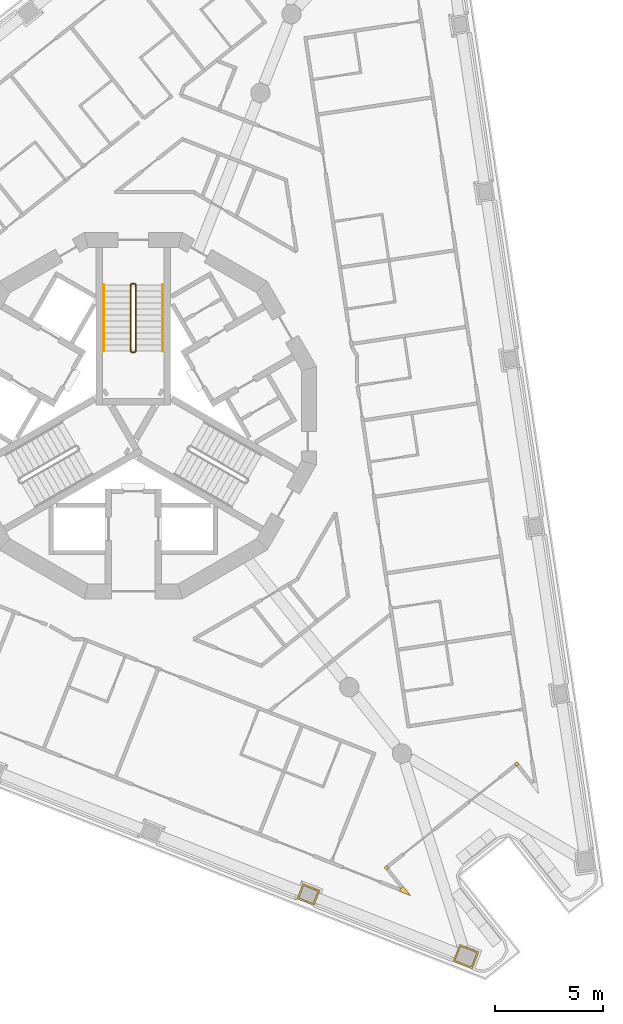
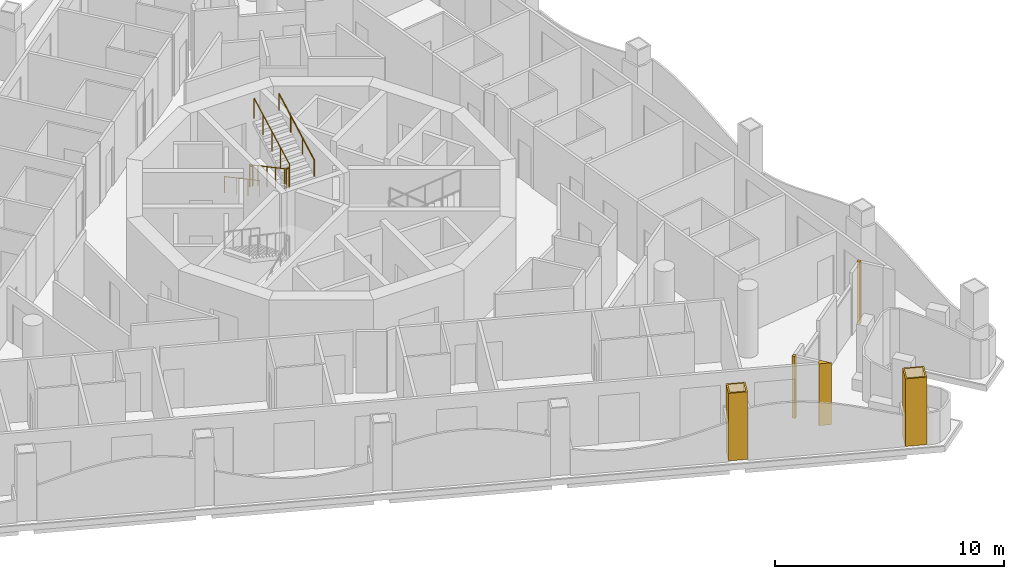
# One storey, part 14 of 17: 6 railings, 5 coverings.
"""IFC4 building model written with IfcOpenShell, lengths in metres."""

from ifc_helpers import new_model, si_unit, direction, frame, origin, origin_2d, place, context, subcontext, project, spatial, polyline, circle, outline, extrude, material, layer, layer_set, type_object, element, save


model = new_model("IFC4")

# Units and contexts
model_context = context("Model", 3, precision=1e-05, world=origin(), true_north=direction((0.0, 1.0)))
body_context = subcontext(model_context, "Body", "Model", "MODEL_VIEW")
ifc_project = project(units=[si_unit("LENGTHUNIT", "METRE"), si_unit("AREAUNIT", "SQUARE_METRE"), si_unit("VOLUMEUNIT", "CUBIC_METRE"), si_unit("PLANEANGLEUNIT", "RADIAN"), si_unit("MASSUNIT", "GRAM", prefix="KILO")], contexts=[model_context])

# Site, building, storey
site_placement = place(None, origin())
site = spatial("IfcSite", under=ifc_project, at=site_placement, CompositionType="ELEMENT")
building_placement = place(site_placement, origin())
building = spatial("IfcBuilding", under=site, at=building_placement, Name="Trine Commons Tower", CompositionType="ELEMENT")
storey_placement = place(building_placement, frame((0.0, 0.0, 212.39990234375)))
storey = spatial("IfcBuildingStorey", under=building, at=storey_placement, Name="L55", CompositionType="ELEMENT", Elevation=212.39990234375)

# Coverings
ifc_material_1 = material(Name="Aluminium-framed insulated wall panel", Category="aluminium")
ifc_layer_1 = layer(ifc_material_1, 0.14990234375)
ifc_layer_set_1 = layer_set([ifc_layer_1], Name="Aluminium-framed insulated wall panel")
covering_type_1 = type_object("IfcCoveringType", Name="Glazing corner post, aluminium", PredefinedType="CLADDING", material=ifc_layer_set_1)
covering_1_placement = place(storey_placement, origin())
element("IfcCovering", 1, at=covering_1_placement, inside=storey, type_object=covering_type_1, Name="Glazing corner post 6-07", PredefinedType="CLADDING", context=body_context, shape_type="SweptSolid", body=[
    extrude(outline(polyline([(97.682861328125, 46.35791015625), (97.7763671875, 46.240478515625), (97.7763671875, 46.240478515625), (97.893798828125, 46.333740234375), (97.80029296875, 46.451171875), (97.80029296875, 46.451171875), (97.682861328125, 46.35791015625)])), origin(), (0.0, 0.0, 1.0), 3.300048828125),
])
covering_2_placement = place(storey_placement, origin())
element("IfcCovering", 2, at=covering_2_placement, inside=storey, type_object=covering_type_1, Name="Glazing corner post 6-08", PredefinedType="CLADDING", context=body_context, shape_type="SweptSolid", body=[
    extrude(outline(polyline([(91.726806640625, 41.42822265625), (91.843994140625, 41.521728515625), (91.750732421875, 41.63916015625), (91.63330078125, 41.545654296875), (91.726806640625, 41.42822265625)])), origin(), (0.0, 0.0, 1.0), 3.300048828125),
])
covering_3_placement = place(storey_placement, origin())
element("IfcCovering", 3, at=covering_3_placement, inside=storey, type_object=covering_type_1, Name="Glazing corner post 6-09", PredefinedType="CLADDING", context=body_context, shape_type="SweptSolid", body=[
    extrude(outline(polyline([(92.34765625, 40.439208984375), (92.868408203125, 40.23388671875), (92.52001953125, 40.672119140625), (92.402587890625, 40.57861328125), (92.34765625, 40.439208984375)])), origin(), (0.0, 0.0, 1.0), 3.300048828125),
])
ifc_material_2 = material(Name="Limestone, honed", Category="masonry")
ifc_layer_2 = layer(ifc_material_2, 0.074951171875)
ifc_layer_set_2 = layer_set([ifc_layer_2], Name="Limestone, honed")
covering_type_2 = type_object("IfcCoveringType", Name="Limestone column cladding 75", PredefinedType="CLADDING", material=ifc_layer_set_2)
covering_4_placement = place(storey_placement, origin())
element("IfcCovering", 4, at=covering_4_placement, inside=storey, type_object=covering_type_2, Name="Limestone pier cladding 6-01", PredefinedType="CLADDING", context=body_context, shape_type="SweptSolid", body=[
    extrude(outline(polyline([(95.143310546875, 37.978271484375), (94.831787109375, 37.1875), (95.715576171875, 36.839111328125), (96.027099609375, 37.6298828125), (95.143310546875, 37.978271484375)]), holes=[polyline([(95.185546875, 37.880859375), (94.928955078125, 37.229736328125), (95.67333984375, 36.9365234375), (95.9296875, 37.587646484375), (95.185546875, 37.880859375)])]), origin(), (0.0, 0.0, 1.0), 3.60009765625),
])
covering_5_placement = place(storey_placement, origin())
element("IfcCovering", 5, at=covering_5_placement, inside=storey, type_object=covering_type_2, Name="Limestone pier cladding 6-02", PredefinedType="CLADDING", context=body_context, shape_type="SweptSolid", body=[
    extrude(outline(polyline([(87.8671875, 40.790771484375), (87.59228515625, 40.093017578125), (88.383056640625, 39.78125), (88.657958984375, 40.47900390625), (87.8671875, 40.790771484375)]), holes=[polyline([(87.909423828125, 40.693359375), (87.689453125, 40.13525390625), (88.3408203125, 39.878662109375), (88.560791015625, 40.436767578125), (87.909423828125, 40.693359375)])]), origin(), (0.0, 0.0, 1.0), 3.60009765625),
])

# Railings
ifc_material_3 = material(Name="Stainless steel balustrade", Category="steel")
railing_type_1 = type_object("IfcRailingType", Name="Stair guard, steel balustrade 1100", PredefinedType="GUARDRAIL", material=ifc_material_3)
railing_1_placement = place(storey_placement, frame((79.875, 68.570556640625, 0.150146484375)))
element("IfcRailing", 6, at=railing_1_placement, inside=storey, type_object=railing_type_1, Name="L55 ST1C stair guard 1", PredefinedType="GUARDRAIL", context=body_context, shape_type="SweptSolid", body=[
    extrude(circle(Radius=0.02392578125, at=origin_2d()), frame((0.0, 0.0, 1.076171875), z_axis=(0.0, -0.881496589024, 0.472190389079), x_axis=(1.0, 0.0, 0.0)), (0.0, 0.0, 1.0), 3.494140625),
    extrude(circle(Radius=0.02099609375, at=origin_2d()), origin(), (0.0, 0.0, 1.0), 1.052001953125),
    extrude(circle(Radius=0.02099609375, at=origin_2d()), frame((0.0, -0.77001953125, 0.41259765625)), (0.0, 0.0, 1.0), 1.052001953125),
    extrude(circle(Radius=0.02099609375, at=origin_2d()), frame((0.0, -1.5400390625, 0.824951171875)), (0.0, 0.0, 1.0), 1.052001953125),
    extrude(circle(Radius=0.02099609375, at=origin_2d()), frame((0.0, -2.31005859375, 1.2373046875)), (0.0, 0.0, 1.0), 1.052001953125),
    extrude(circle(Radius=0.02099609375, at=origin_2d()), frame((0.0, -3.080078125, 1.64990234375)), (0.0, 0.0, 1.0), 1.052001953125),
])
railing_2_placement = place(storey_placement, frame((79.925048828125, 65.440673828125, 1.800048828125)))
element("IfcRailing", 7, at=railing_2_placement, inside=storey, type_object=railing_type_1, Name="L55 ST1C stair guard 2", PredefinedType="GUARDRAIL", context=body_context, shape_type="SweptSolid", body=[
    extrude(circle(Radius=0.02392578125, at=origin_2d()), frame((0.0, 0.0, 1.076171875), z_axis=(1.0, 0.0, 0.0), x_axis=(0.0, 1.0, 0.0)), (0.0, 0.0, 1.0), 0.14990234375),
    extrude(circle(Radius=0.02099609375, at=origin_2d()), origin(), (0.0, 0.0, 1.0), 1.052001953125),
    extrude(circle(Radius=0.02099609375, at=origin_2d()), frame((0.14990234375, 0.0, 0.0)), (0.0, 0.0, 1.0), 1.052001953125),
])
railing_3_placement = place(storey_placement, frame((80.125, 65.490478515625, 1.9501953125)))
element("IfcRailing", 8, at=railing_3_placement, inside=storey, type_object=railing_type_1, Name="L55 ST1C stair guard 3", PredefinedType="GUARDRAIL", context=body_context, shape_type="SweptSolid", body=[
    extrude(circle(Radius=0.02392578125, at=origin_2d()), frame((0.0, 0.0, 1.076171875), z_axis=(0.0, 0.881496589024, 0.472190389079), x_axis=(-1.0, 0.0, 0.0)), (0.0, 0.0, 1.0), 3.494140625),
    extrude(circle(Radius=0.02099609375, at=origin_2d()), origin(), (0.0, 0.0, 1.0), 1.052001953125),
    extrude(circle(Radius=0.02099609375, at=origin_2d()), frame((0.0, 0.77001953125, 0.41259765625)), (0.0, 0.0, 1.0), 1.052001953125),
    extrude(circle(Radius=0.02099609375, at=origin_2d()), frame((0.0, 1.5400390625, 0.824951171875)), (0.0, 0.0, 1.0), 1.052001953125),
    extrude(circle(Radius=0.02099609375, at=origin_2d()), frame((0.0, 2.31005859375, 1.2373046875)), (0.0, 0.0, 1.0), 1.052001953125),
    extrude(circle(Radius=0.02099609375, at=origin_2d()), frame((0.0, 3.080078125, 1.64990234375)), (0.0, 0.0, 1.0), 1.052001953125),
])
railing_4_placement = place(storey_placement, frame((79.925048828125, 68.62060546875, 0.0)))
element("IfcRailing", 9, at=railing_4_placement, inside=storey, type_object=railing_type_1, Name="L55 ST1C stair guard 4", PredefinedType="GUARDRAIL", context=body_context, shape_type="SweptSolid", body=[
    extrude(circle(Radius=0.02392578125, at=origin_2d()), frame((0.0, 0.0, 1.076171875), z_axis=(1.0, 0.0, 0.0), x_axis=(0.0, 1.0, 0.0)), (0.0, 0.0, 1.0), 0.14990234375),
    extrude(circle(Radius=0.02099609375, at=origin_2d()), origin(), (0.0, 0.0, 1.0), 1.052001953125),
    extrude(circle(Radius=0.02099609375, at=origin_2d()), frame((0.14990234375, 0.0, 0.0)), (0.0, 0.0, 1.0), 1.052001953125),
])
ifc_material_4 = material(Name="Stainless steel handrail", Category="steel")
railing_type_2 = type_object("IfcRailingType", Name="Stair handrail, steel 900", PredefinedType="HANDRAIL", material=ifc_material_4)
railing_5_placement = place(storey_placement, frame((78.625, 68.570556640625, 0.150146484375)))
element("IfcRailing", 10, at=railing_5_placement, inside=storey, type_object=railing_type_2, Name="L55 ST1C stair handrail 1", PredefinedType="HANDRAIL", context=body_context, shape_type="SweptSolid", body=[
    extrude(circle(Radius=0.02099609375, at=origin_2d()), frame((0.0, 0.0, 0.87890625), z_axis=(0.0, -0.881496589024, 0.472190389079), x_axis=(1.0, 0.0, 0.0)), (0.0, 0.0, 1.0), 3.494140625),
    extrude(circle(Radius=0.01513671875, at=origin_2d()), origin(), (0.0, 0.0, 1.0), 0.85791015625),
    extrude(circle(Radius=0.01513671875, at=origin_2d()), frame((0.0, -1.026611328125, 0.550048828125)), (0.0, 0.0, 1.0), 0.85791015625),
    extrude(circle(Radius=0.01513671875, at=origin_2d()), frame((0.0, -2.053466796875, 1.099853515625)), (0.0, 0.0, 1.0), 0.85791015625),
    extrude(circle(Radius=0.01513671875, at=origin_2d()), frame((0.0, -3.080078125, 1.64990234375)), (0.0, 0.0, 1.0), 0.85791015625),
])
railing_6_placement = place(storey_placement, frame((81.375, 65.490478515625, 1.9501953125)))
element("IfcRailing", 11, at=railing_6_placement, inside=storey, type_object=railing_type_2, Name="L55 ST1C stair handrail 2", PredefinedType="HANDRAIL", context=body_context, shape_type="SweptSolid", body=[
    extrude(circle(Radius=0.02099609375, at=origin_2d()), frame((0.0, 0.0, 0.87890625), z_axis=(0.0, 0.881496589024, 0.472190389079), x_axis=(-1.0, 0.0, 0.0)), (0.0, 0.0, 1.0), 3.494140625),
    extrude(circle(Radius=0.01513671875, at=origin_2d()), origin(), (0.0, 0.0, 1.0), 0.85791015625),
    extrude(circle(Radius=0.01513671875, at=origin_2d()), frame((0.0, 1.026611328125, 0.550048828125)), (0.0, 0.0, 1.0), 0.85791015625),
    extrude(circle(Radius=0.01513671875, at=origin_2d()), frame((0.0, 2.053466796875, 1.099853515625)), (0.0, 0.0, 1.0), 0.85791015625),
    extrude(circle(Radius=0.01513671875, at=origin_2d()), frame((0.0, 3.080078125, 1.64990234375)), (0.0, 0.0, 1.0), 0.85791015625),
])

save(model, "model.ifc")
